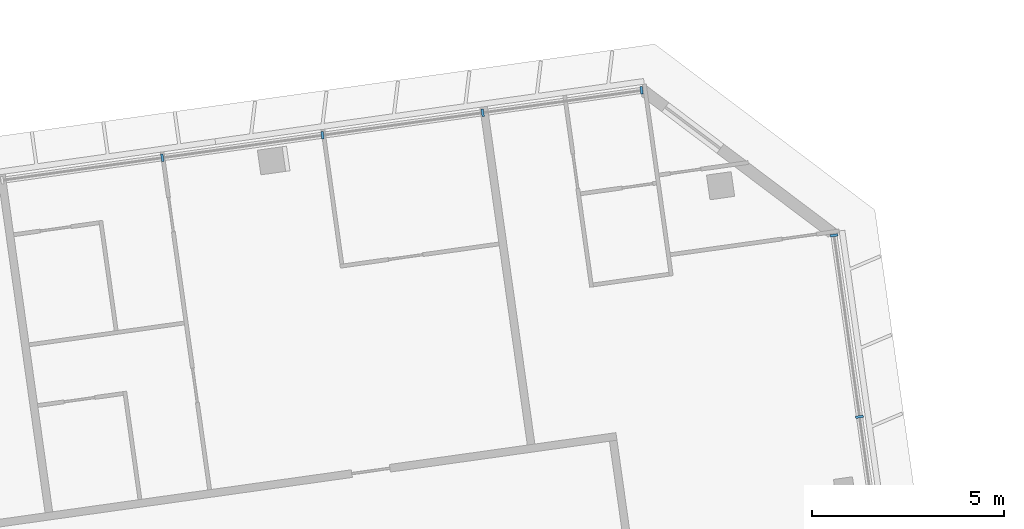
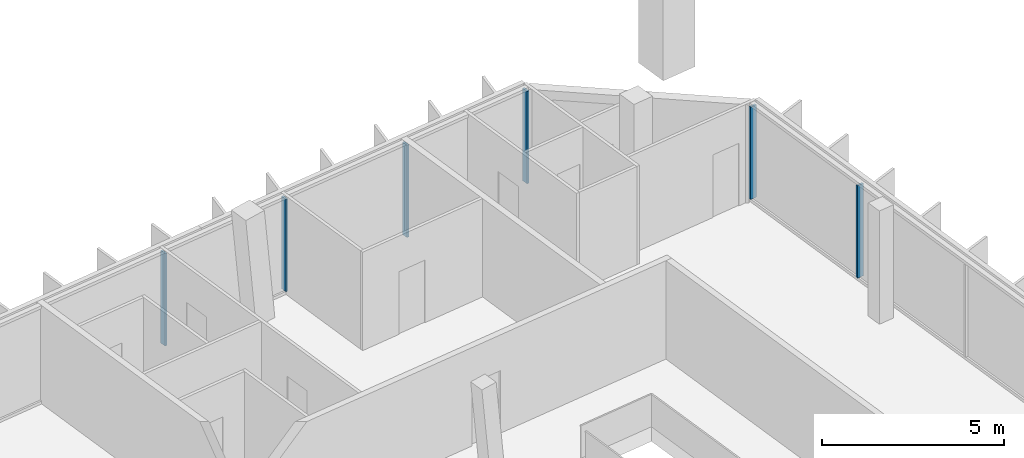
# One storey, part 12 of 25: 6 members, 2 elements without a shape of their own.
"""IFC4 building model written with IfcOpenShell, lengths in metres."""

from ifc_helpers import new_model, si_unit, direction, frame, origin, origin_2d, place, context, subcontext, project, spatial, rectangle, extrude, material, material_profile, profile_set, type_object, element, aggregate, save


model = new_model("IFC4")

# Units and contexts
model_context = context("Model", 3, precision=1e-05, world=origin(), true_north=direction((0.0, 1.0)))
body_context = subcontext(model_context, "Body", "Model", "MODEL_VIEW")
ifc_project = project(units=[si_unit("LENGTHUNIT", "METRE"), si_unit("AREAUNIT", "SQUARE_METRE"), si_unit("VOLUMEUNIT", "CUBIC_METRE"), si_unit("PLANEANGLEUNIT", "RADIAN"), si_unit("MASSUNIT", "GRAM", prefix="KILO")], contexts=[model_context])

# Site, building, storey
site_placement = place(None, origin())
site = spatial("IfcSite", under=ifc_project, at=site_placement, CompositionType="ELEMENT")
building_placement = place(site_placement, origin())
building = spatial("IfcBuilding", under=site, at=building_placement, Name="Mirante Cascada Hotel Towers", CompositionType="ELEMENT")
storey_placement = place(building_placement, frame((0.0, 0.0, 266.0)))
storey = spatial("IfcBuildingStorey", under=building, at=storey_placement, Name="L64", CompositionType="ELEMENT", Elevation=266.0)

# Curtain wall, members
ifc_material_1 = material(Name="Aluminium mullion and transom frame with clear laminated glass", Category="aluminium")
curtain_wall_type_1 = type_object("IfcCurtainWallType", Name="Ribbon curtain wall ECW1", PredefinedType="NOTDEFINED", material=ifc_material_1)
curtain_wall_1_placement = place(storey_placement, origin())
curtain_wall_1 = element("IfcCurtainWall", 1, at=curtain_wall_1_placement, inside=storey, type_object=curtain_wall_type_1, Name="Front ribbon wall T2 L64", PredefinedType="NOTDEFINED")
ifc_material_2 = material(Name="Anodised aluminium extrusion", Category="aluminium")
ifc_material_profile_1 = material_profile(ifc_material_2, rectangle(XDim=0.2, YDim=0.065, at=origin_2d()), Name="ECW1 MULLION 65x200")
ifc_profile_set_1 = profile_set([ifc_material_profile_1], Name="Anodised aluminium extrusion")
member_type_1 = type_object("IfcMemberType", Name="ECW1 mullion 65x200", PredefinedType="MULLION", material=ifc_profile_set_1)
member_1_placement = place(storey_placement, frame((49.5639, 19.7848, 0.1), z_axis=(0.0, 0.0, 1.0), x_axis=(0.1391731, -0.9902681, 0.0)))
member_1 = element("IfcMember", 2, at=member_1_placement, type_object=member_type_1, Name="ECW1 mullion 1", PredefinedType="MULLION", context=body_context, shape_type="SweptSolid", body=[
    extrude(rectangle(XDim=0.2, YDim=0.065, at=origin_2d()), origin(), (0.0, 0.0, 1.0), 3.1),
])
member_2_placement = place(storey_placement, frame((45.417, 19.202, 0.1), z_axis=(0.0, 0.0, 1.0), x_axis=(0.1391731, -0.9902681, 0.0)))
member_2 = element("IfcMember", 3, at=member_2_placement, type_object=member_type_1, Name="ECW1 mullion 2", PredefinedType="MULLION", context=body_context, shape_type="SweptSolid", body=[
    extrude(rectangle(XDim=0.2, YDim=0.065, at=origin_2d()), origin(), (0.0, 0.0, 1.0), 3.1),
])
member_3_placement = place(storey_placement, frame((41.238, 18.6146, 0.1), z_axis=(0.0, 0.0, 1.0), x_axis=(0.1391731, -0.9902681, 0.0)))
member_3 = element("IfcMember", 4, at=member_3_placement, type_object=member_type_1, Name="ECW1 mullion 3", PredefinedType="MULLION", context=body_context, shape_type="SweptSolid", body=[
    extrude(rectangle(XDim=0.2, YDim=0.065, at=origin_2d()), origin(), (0.0, 0.0, 1.0), 3.1),
])
member_4_placement = place(storey_placement, frame((37.0589, 18.0273, 0.1), z_axis=(0.0, 0.0, 1.0), x_axis=(0.1391731, -0.9902681, 0.0)))
member_4 = element("IfcMember", 5, at=member_4_placement, type_object=member_type_1, Name="ECW1 mullion 4", PredefinedType="MULLION", context=body_context, shape_type="SweptSolid", body=[
    extrude(rectangle(XDim=0.2, YDim=0.065, at=origin_2d()), origin(), (0.0, 0.0, 1.0), 3.1),
])
aggregate(curtain_wall_1, [member_1, member_2, member_3, member_4])

ifc_material_3 = material(Name="Aluminium mullion and transom frame with clear laminated glass", Category="aluminium")
curtain_wall_type_2 = type_object("IfcCurtainWallType", Name="End ribbon curtain wall ECW2", PredefinedType="NOTDEFINED", material=ifc_material_3)
curtain_wall_2_placement = place(storey_placement, origin())
curtain_wall_2 = element("IfcCurtainWall", 6, at=curtain_wall_2_placement, inside=storey, type_object=curtain_wall_type_2, Name="Outer end wall T2 L64", PredefinedType="NOTDEFINED")
ifc_material_4 = material(Name="Anodised aluminium extrusion", Category="aluminium")
ifc_material_profile_2 = material_profile(ifc_material_4, rectangle(XDim=0.2, YDim=0.065, at=origin_2d()), Name="ECW2 MULLION 65x200")
ifc_profile_set_2 = profile_set([ifc_material_profile_2], Name="Anodised aluminium extrusion")
member_type_2 = type_object("IfcMemberType", Name="ECW2 mullion 65x200", PredefinedType="MULLION", material=ifc_profile_set_2)
member_5_placement = place(storey_placement, frame((55.2491, 11.2684, 0.1), z_axis=(0.0, 0.0, 1.0), x_axis=(-0.9902681, -0.1391731, 0.0)))
member_5 = element("IfcMember", 7, at=member_5_placement, type_object=member_type_2, Name="ECW2 mullion 6", PredefinedType="MULLION", context=body_context, shape_type="SweptSolid", body=[
    extrude(rectangle(XDim=0.2, YDim=0.065, at=origin_2d()), origin(), (0.0, 0.0, 1.0), 3.1),
])
member_6_placement = place(storey_placement, frame((54.5839, 16.002, 0.1), z_axis=(0.0, 0.0, 1.0), x_axis=(-0.9902681, -0.1391731, 0.0)))
member_6 = element("IfcMember", 8, at=member_6_placement, type_object=member_type_2, Name="ECW2 mullion 7", PredefinedType="MULLION", context=body_context, shape_type="SweptSolid", body=[
    extrude(rectangle(XDim=0.2, YDim=0.065, at=origin_2d()), origin(), (0.0, 0.0, 1.0), 3.1),
])
aggregate(curtain_wall_2, [member_5, member_6])

save(model, "model.ifc")
